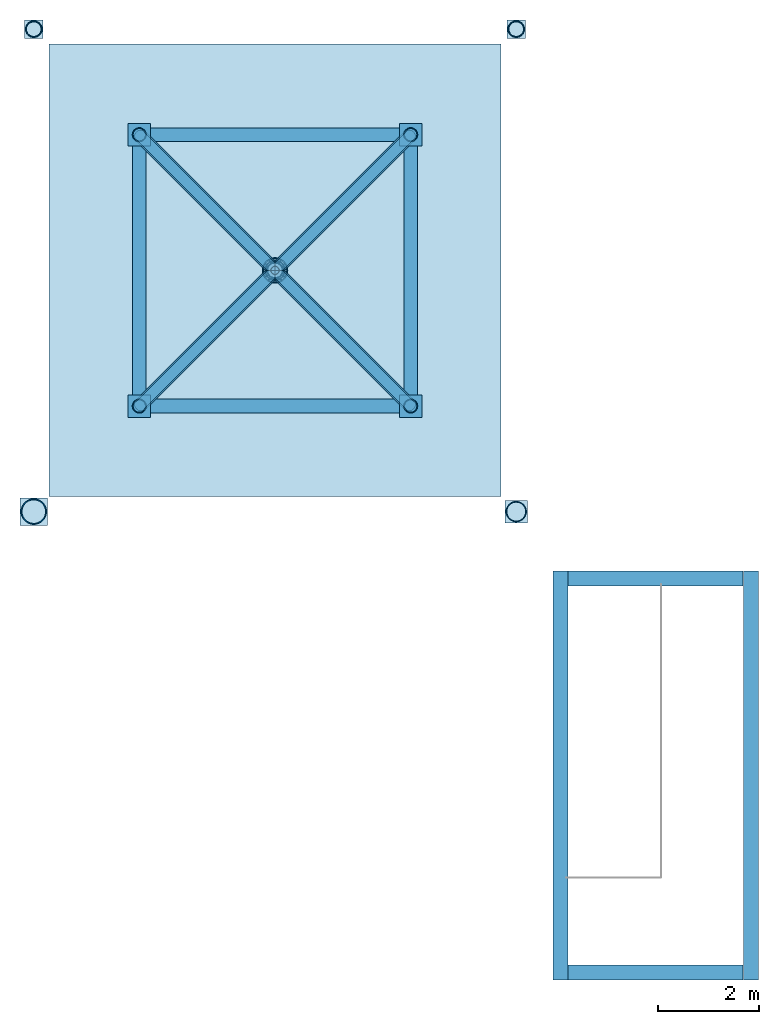
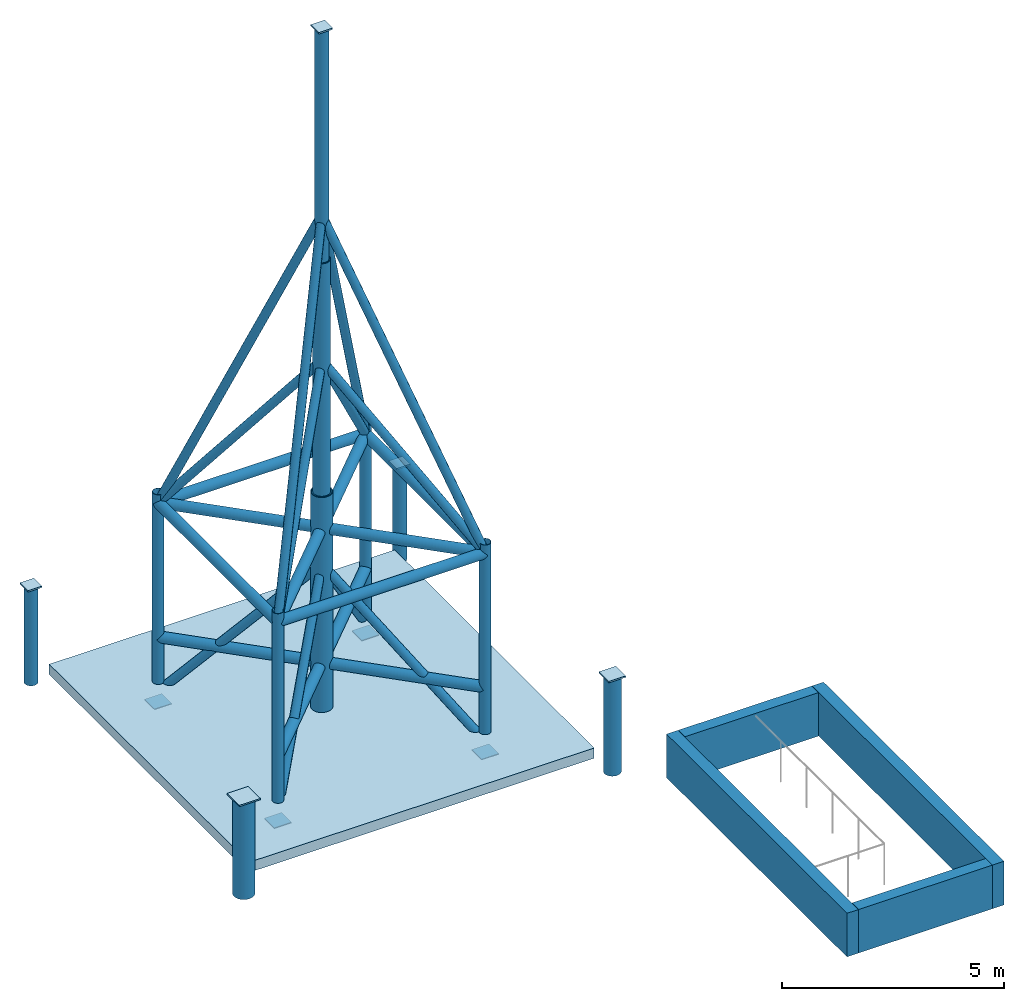
# One storey, part 1 of 2: 31 members, 5 plates, 4 columns, 4 discrete accessories, 4 walls, 1 roof.
"""IFC4 building model written with IfcOpenShell, lengths in metres."""

from ifc_helpers import new_model, si_unit, direction, frame, frame_2d, origin, origin_2d, place, context, subcontext, project, spatial, polyline, rectangle, hollow_circle, outline, extrude, material, layer, layer_set, material_profile, profile_set, type_object, element, save


model = new_model("IFC4")

# Units and contexts
model_context = context("Model", 3, precision=1e-05, world=origin(), true_north=direction((0.0, 1.0)))
body_context = subcontext(model_context, "Body", "Model", "MODEL_VIEW")
ifc_project = project(units=[si_unit("LENGTHUNIT", "METRE"), si_unit("AREAUNIT", "SQUARE_METRE"), si_unit("VOLUMEUNIT", "CUBIC_METRE"), si_unit("PLANEANGLEUNIT", "RADIAN"), si_unit("MASSUNIT", "GRAM", prefix="KILO")], contexts=[model_context])

# Site, building, storey
site_placement = place(None, origin())
site = spatial("IfcSite", under=ifc_project, at=site_placement, CompositionType="ELEMENT")
building_placement = place(site_placement, origin())
building = spatial("IfcBuilding", under=site, at=building_placement, Name="Norrvale University Quadrangle", CompositionType="ELEMENT")
storey_placement = place(building_placement, frame((0.0, 0.0, 326.0)))
storey = spatial("IfcBuildingStorey", under=building, at=storey_placement, Name="ROOF", CompositionType="ELEMENT", Elevation=326.0)

# Columns
ifc_material_1 = material(Name="Steel 350W", Category="steel")
ifc_material_profile_1 = material_profile(ifc_material_1, hollow_circle(Radius=0.162109375, WallThickness=0.012939453125, at=origin_2d()), Name="Steel 350W")
ifc_profile_set_1 = profile_set([ifc_material_profile_1], Name="Steel 350W")
column_type_1 = type_object("IfcColumnType", Name="Column Spire CHS324", PredefinedType="USERDEFINED", material=ifc_profile_set_1)
for number, where, z_axis, x_axis, name in (
    (1, (28.800048828125, 28.800048828125, -0.280029296875), (0.0, 0.0, 1.0), (1.0, 0.0, 0.0), "Crown Plinth Spire Corner Finial 3"),
    (2, (19.199951171875, 28.800048828125, -0.280029296875), (0.0, 0.0, 1.0), (1.0, 0.0, 0.0), "Crown Plinth Spire Corner Finial 4"),
):
    element("IfcColumn", number, at=place(storey_placement, frame(where, z_axis=z_axis, x_axis=x_axis)), inside=storey, type_object=column_type_1, Name=name, ObjectType="SPIRE", PredefinedType="USERDEFINED", context=body_context, shape_type="SweptSolid", body=[
        extrude(hollow_circle(Radius=0.162109375, WallThickness=0.012939453125, at=origin_2d()), origin(), (0.0, 0.0, 1.0), 2.64013671875),
    ])
ifc_material_profile_2 = material_profile(ifc_material_1, hollow_circle(Radius=0.202880859375, WallThickness=0.01611328125, at=origin_2d()), Name="Steel 350W")
ifc_profile_set_2 = profile_set([ifc_material_profile_2], Name="Steel 350W")
column_type_2 = type_object("IfcColumnType", Name="Column Spire CHS406", PredefinedType="USERDEFINED", material=ifc_profile_set_2)
column_1_placement = place(storey_placement, frame((28.800048828125, 19.199951171875, -0.280029296875), z_axis=(0.0, 0.0, 1.0), x_axis=(1.0, 0.0, 0.0)))
element("IfcColumn", 3, at=column_1_placement, inside=storey, type_object=column_type_2, Name="Crown Plinth Spire Corner Finial 2", ObjectType="SPIRE", PredefinedType="USERDEFINED", context=body_context, shape_type="SweptSolid", body=[
    extrude(hollow_circle(Radius=0.202880859375, WallThickness=0.01611328125, at=origin_2d()), origin(), (0.0, 0.0, 1.0), 2.64013671875),
])
ifc_material_profile_3 = material_profile(ifc_material_1, hollow_circle(Radius=0.25390625, WallThickness=0.02001953125, at=origin_2d()), Name="Steel 350W")
ifc_profile_set_3 = profile_set([ifc_material_profile_3], Name="Steel 350W")
column_type_3 = type_object("IfcColumnType", Name="Column Spire CHS508", PredefinedType="USERDEFINED", material=ifc_profile_set_3)
column_2_placement = place(storey_placement, frame((19.199951171875, 19.199951171875, -0.280029296875), z_axis=(0.0, 0.0, 1.0), x_axis=(1.0, 0.0, 0.0)))
element("IfcColumn", 4, at=column_2_placement, inside=storey, type_object=column_type_3, Name="Crown Plinth Spire Corner Finial 1", ObjectType="SPIRE", PredefinedType="USERDEFINED", context=body_context, shape_type="SweptSolid", body=[
    extrude(hollow_circle(Radius=0.25390625, WallThickness=0.02001953125, at=origin_2d()), origin(), (0.0, 0.0, 1.0), 2.64013671875),
])

# Members
ifc_material_profile_4 = material_profile(ifc_material_1, hollow_circle(Radius=0.109619140625, WallThickness=0.010009765625, at=origin_2d()), Name="Steel 350W")
ifc_profile_set_4 = profile_set([ifc_material_profile_4], Name="Steel 350W")
member_type_1 = type_object("IfcMemberType", Name="Member Spire Brace CHS219", PredefinedType="USERDEFINED", material=ifc_profile_set_4)
member_1_placement = place(storey_placement, frame((21.300048828125, 21.300048828125, 0.0), z_axis=(0.475663098311, 0.475663098311, 0.739925154195), x_axis=(-0.707106781187, 0.707106781187, 0.0)))
element("IfcMember", 5, at=member_1_placement, inside=storey, type_object=member_type_1, Name="Spire Base Raking Brace 1", ObjectType="SPIRE", PredefinedType="USERDEFINED", context=body_context, shape_type="SweptSolid", body=[
    extrude(hollow_circle(Radius=0.109619140625, WallThickness=0.010009765625, at=origin_2d()), origin(), (0.0, 0.0, 1.0), 5.67626953125),
])
member_2_placement = place(storey_placement, frame((21.300048828125, 21.300048828125, 5.199951171875), z_axis=(0.451623343107, 0.451623343107, 0.769462612426), x_axis=(-0.707106781187, 0.707106781187, 0.0)))
element("IfcMember", 6, at=member_2_placement, inside=storey, type_object=member_type_1, Name="Spire Mid Taper Stay 1", ObjectType="SPIRE", PredefinedType="USERDEFINED", context=body_context, shape_type="SweptSolid", body=[
    extrude(hollow_circle(Radius=0.109619140625, WallThickness=0.010009765625, at=origin_2d()), origin(), (0.0, 0.0, 1.0), 5.978271484375),
])
member_3_placement = place(storey_placement, frame((21.300048828125, 21.300048828125, 5.199951171875), z_axis=(0.28693486712, 0.28693486712, 0.913967594645), x_axis=(-0.707106781187, 0.707106781187, 0.0)))
element("IfcMember", 7, at=member_3_placement, inside=storey, type_object=member_type_1, Name="Spire Upper Taper Stay 1", ObjectType="SPIRE", PredefinedType="USERDEFINED", context=body_context, shape_type="SweptSolid", body=[
    extrude(hollow_circle(Radius=0.109619140625, WallThickness=0.010009765625, at=origin_2d()), origin(), (0.0, 0.0, 1.0), 9.40966796875),
])
member_4_placement = place(storey_placement, frame((26.699951171875, 21.300048828125, 0.0), z_axis=(-0.475663098311, 0.475663098311, 0.739925154195), x_axis=(-0.707106781187, -0.707106781187, 0.0)))
element("IfcMember", 8, at=member_4_placement, inside=storey, type_object=member_type_1, Name="Spire Base Raking Brace 2", ObjectType="SPIRE", PredefinedType="USERDEFINED", context=body_context, shape_type="SweptSolid", body=[
    extrude(hollow_circle(Radius=0.109619140625, WallThickness=0.010009765625, at=origin_2d()), origin(), (0.0, 0.0, 1.0), 5.67626953125),
])
member_5_placement = place(storey_placement, frame((26.699951171875, 21.300048828125, 5.199951171875), z_axis=(-0.451623343107, 0.451623343107, 0.769462612426), x_axis=(-0.707106781187, -0.707106781187, 0.0)))
element("IfcMember", 9, at=member_5_placement, inside=storey, type_object=member_type_1, Name="Spire Mid Taper Stay 2", ObjectType="SPIRE", PredefinedType="USERDEFINED", context=body_context, shape_type="SweptSolid", body=[
    extrude(hollow_circle(Radius=0.109619140625, WallThickness=0.010009765625, at=origin_2d()), origin(), (0.0, 0.0, 1.0), 5.978271484375),
])
member_6_placement = place(storey_placement, frame((26.699951171875, 21.300048828125, 5.199951171875), z_axis=(-0.28693486712, 0.28693486712, 0.913967594645), x_axis=(-0.707106781187, -0.707106781187, 0.0)))
element("IfcMember", 10, at=member_6_placement, inside=storey, type_object=member_type_1, Name="Spire Upper Taper Stay 2", ObjectType="SPIRE", PredefinedType="USERDEFINED", context=body_context, shape_type="SweptSolid", body=[
    extrude(hollow_circle(Radius=0.109619140625, WallThickness=0.010009765625, at=origin_2d()), origin(), (0.0, 0.0, 1.0), 9.40966796875),
])
member_7_placement = place(storey_placement, frame((26.699951171875, 26.699951171875, 0.0), z_axis=(-0.475663098311, -0.475663098311, 0.739925154195), x_axis=(0.707106781187, -0.707106781187, 0.0)))
element("IfcMember", 11, at=member_7_placement, inside=storey, type_object=member_type_1, Name="Spire Base Raking Brace 3", ObjectType="SPIRE", PredefinedType="USERDEFINED", context=body_context, shape_type="SweptSolid", body=[
    extrude(hollow_circle(Radius=0.109619140625, WallThickness=0.010009765625, at=origin_2d()), origin(), (0.0, 0.0, 1.0), 5.67626953125),
])
member_8_placement = place(storey_placement, frame((26.699951171875, 26.699951171875, 5.199951171875), z_axis=(-0.451623343107, -0.451623343107, 0.769462612426), x_axis=(0.707106781187, -0.707106781187, 0.0)))
element("IfcMember", 12, at=member_8_placement, inside=storey, type_object=member_type_1, Name="Spire Mid Taper Stay 3", ObjectType="SPIRE", PredefinedType="USERDEFINED", context=body_context, shape_type="SweptSolid", body=[
    extrude(hollow_circle(Radius=0.109619140625, WallThickness=0.010009765625, at=origin_2d()), origin(), (0.0, 0.0, 1.0), 5.978271484375),
])
member_9_placement = place(storey_placement, frame((26.699951171875, 26.699951171875, 5.199951171875), z_axis=(-0.28693486712, -0.28693486712, 0.913967594645), x_axis=(0.707106781187, -0.707106781187, 0.0)))
element("IfcMember", 13, at=member_9_placement, inside=storey, type_object=member_type_1, Name="Spire Upper Taper Stay 3", ObjectType="SPIRE", PredefinedType="USERDEFINED", context=body_context, shape_type="SweptSolid", body=[
    extrude(hollow_circle(Radius=0.109619140625, WallThickness=0.010009765625, at=origin_2d()), origin(), (0.0, 0.0, 1.0), 9.40966796875),
])
member_10_placement = place(storey_placement, frame((21.300048828125, 26.699951171875, 0.0), z_axis=(0.475663098311, -0.475663098311, 0.739925154195), x_axis=(0.707106781187, 0.707106781187, 0.0)))
element("IfcMember", 14, at=member_10_placement, inside=storey, type_object=member_type_1, Name="Spire Base Raking Brace 4", ObjectType="SPIRE", PredefinedType="USERDEFINED", context=body_context, shape_type="SweptSolid", body=[
    extrude(hollow_circle(Radius=0.109619140625, WallThickness=0.010009765625, at=origin_2d()), origin(), (0.0, 0.0, 1.0), 5.67626953125),
])
member_11_placement = place(storey_placement, frame((21.300048828125, 26.699951171875, 5.199951171875), z_axis=(0.451623343107, -0.451623343107, 0.769462612426), x_axis=(0.707106781187, 0.707106781187, 0.0)))
element("IfcMember", 15, at=member_11_placement, inside=storey, type_object=member_type_1, Name="Spire Mid Taper Stay 4", ObjectType="SPIRE", PredefinedType="USERDEFINED", context=body_context, shape_type="SweptSolid", body=[
    extrude(hollow_circle(Radius=0.109619140625, WallThickness=0.010009765625, at=origin_2d()), origin(), (0.0, 0.0, 1.0), 5.978271484375),
])
member_12_placement = place(storey_placement, frame((21.300048828125, 26.699951171875, 5.199951171875), z_axis=(0.28693486712, -0.28693486712, 0.913967594645), x_axis=(0.707106781187, 0.707106781187, 0.0)))
element("IfcMember", 16, at=member_12_placement, inside=storey, type_object=member_type_1, Name="Spire Upper Taper Stay 4", ObjectType="SPIRE", PredefinedType="USERDEFINED", context=body_context, shape_type="SweptSolid", body=[
    extrude(hollow_circle(Radius=0.109619140625, WallThickness=0.010009765625, at=origin_2d()), origin(), (0.0, 0.0, 1.0), 9.40966796875),
])
ifc_material_profile_5 = material_profile(ifc_material_1, hollow_circle(Radius=0.202880859375, WallThickness=0.01611328125, at=origin_2d()), Name="Steel 350W")
ifc_profile_set_5 = profile_set([ifc_material_profile_5], Name="Steel 350W")
member_type_2 = type_object("IfcMemberType", Name="Member Spire Mast CHS406", PredefinedType="USERDEFINED", material=ifc_profile_set_5)
member_13_placement = place(storey_placement, frame((24.0, 24.0, 6.199951171875), z_axis=(0.0, 0.0, 1.0), x_axis=(1.0, 0.0, 0.0)))
element("IfcMember", 17, at=member_13_placement, inside=storey, type_object=member_type_2, Name="Crown Needle Spire Mid Mast SPIRE-02", ObjectType="SPIRE", PredefinedType="USERDEFINED", context=body_context, shape_type="SweptSolid", body=[
    extrude(hollow_circle(Radius=0.202880859375, WallThickness=0.01611328125, at=origin_2d()), origin(), (0.0, 0.0, 1.0), 6.400146484375),
])
ifc_material_profile_6 = material_profile(ifc_material_1, hollow_circle(Radius=0.25390625, WallThickness=0.02001953125, at=origin_2d()), Name="Steel 350W")
ifc_profile_set_6 = profile_set([ifc_material_profile_6], Name="Steel 350W")
member_type_3 = type_object("IfcMemberType", Name="Member Spire Mast CHS508", PredefinedType="USERDEFINED", material=ifc_profile_set_6)
member_14_placement = place(storey_placement, frame((24.0, 24.0, -0.280029296875), z_axis=(0.0, 0.0, 1.0), x_axis=(1.0, 0.0, 0.0)))
element("IfcMember", 18, at=member_14_placement, inside=storey, type_object=member_type_3, Name="Crown Needle Spire Lower Mast SPIRE-01", ObjectType="SPIRE", PredefinedType="USERDEFINED", context=body_context, shape_type="SweptSolid", body=[
    extrude(hollow_circle(Radius=0.25390625, WallThickness=0.02001953125, at=origin_2d()), origin(), (0.0, 0.0, 1.0), 6.47998046875),
])
ifc_material_profile_7 = material_profile(ifc_material_1, hollow_circle(Radius=0.136474609375, WallThickness=0.010009765625, at=origin_2d()), Name="Steel 350W")
ifc_profile_set_7 = profile_set([ifc_material_profile_7], Name="Steel 350W")
member_type_4 = type_object("IfcMemberType", Name="Member Spire Strut CHS273", PredefinedType="USERDEFINED", material=ifc_profile_set_7)
member_15_placement = place(storey_placement, frame((21.300048828125, 21.300048828125, -0.280029296875), z_axis=(0.0, 0.0, 1.0), x_axis=(1.0, 0.0, 0.0)))
element("IfcMember", 19, at=member_15_placement, inside=storey, type_object=member_type_4, Name="Spire Base Pylon Leg 1", ObjectType="SPIRE", PredefinedType="USERDEFINED", context=body_context, shape_type="SweptSolid", body=[
    extrude(hollow_circle(Radius=0.136474609375, WallThickness=0.010009765625, at=origin_2d()), origin(), (0.0, 0.0, 1.0), 5.780029296875),
])
member_16_placement = place(storey_placement, frame((21.300048828125, 21.300048828125, 5.199951171875), z_axis=(1.0, 0.0, 0.0), x_axis=(0.0, 1.0, 0.0)))
element("IfcMember", 20, at=member_16_placement, inside=storey, type_object=member_type_4, Name="Spire Pylon Ring Strut 1", ObjectType="SPIRE", PredefinedType="USERDEFINED", context=body_context, shape_type="SweptSolid", body=[
    extrude(hollow_circle(Radius=0.136474609375, WallThickness=0.010009765625, at=origin_2d()), origin(), (0.0, 0.0, 1.0), 5.39990234375),
])
for number, where, z_axis, x_axis, name in (
    (21, (21.300048828125, 21.300048828125, 1.5), (0.707106781187, 0.707106781187, 0.0), (-0.707106781187, 0.707106781187, 0.0), "Spire Lower Collar Strut 1"),
    (22, (21.300048828125, 21.300048828125, 5.199951171875), (0.707106781187, 0.707106781187, 0.0), (-0.707106781187, 0.707106781187, 0.0), "Spire Upper Collar Strut 1"),
):
    element("IfcMember", number, at=place(storey_placement, frame(where, z_axis=z_axis, x_axis=x_axis)), inside=storey, type_object=member_type_4, Name=name, ObjectType="SPIRE", PredefinedType="USERDEFINED", context=body_context, shape_type="SweptSolid", body=[
        extrude(hollow_circle(Radius=0.136474609375, WallThickness=0.010009765625, at=origin_2d()), origin(), (0.0, 0.0, 1.0), 3.818359375),
    ])
member_17_placement = place(storey_placement, frame((26.699951171875, 21.300048828125, -0.280029296875), z_axis=(0.0, 0.0, 1.0), x_axis=(1.0, 0.0, 0.0)))
element("IfcMember", 23, at=member_17_placement, inside=storey, type_object=member_type_4, Name="Spire Base Pylon Leg 2", ObjectType="SPIRE", PredefinedType="USERDEFINED", context=body_context, shape_type="SweptSolid", body=[
    extrude(hollow_circle(Radius=0.136474609375, WallThickness=0.010009765625, at=origin_2d()), origin(), (0.0, 0.0, 1.0), 5.780029296875),
])
member_18_placement = place(storey_placement, frame((26.699951171875, 21.300048828125, 5.199951171875), z_axis=(0.0, 1.0, 0.0), x_axis=(-1.0, 0.0, 0.0)))
element("IfcMember", 24, at=member_18_placement, inside=storey, type_object=member_type_4, Name="Spire Pylon Ring Strut 2", ObjectType="SPIRE", PredefinedType="USERDEFINED", context=body_context, shape_type="SweptSolid", body=[
    extrude(hollow_circle(Radius=0.136474609375, WallThickness=0.010009765625, at=origin_2d()), origin(), (0.0, 0.0, 1.0), 5.39990234375),
])
for number, where, z_axis, x_axis, name in (
    (25, (26.699951171875, 21.300048828125, 1.5), (-0.707106781187, 0.707106781187, 0.0), (-0.707106781187, -0.707106781187, 0.0), "Spire Lower Collar Strut 2"),
    (26, (26.699951171875, 21.300048828125, 5.199951171875), (-0.707106781187, 0.707106781187, 0.0), (-0.707106781187, -0.707106781187, 0.0), "Spire Upper Collar Strut 2"),
):
    element("IfcMember", number, at=place(storey_placement, frame(where, z_axis=z_axis, x_axis=x_axis)), inside=storey, type_object=member_type_4, Name=name, ObjectType="SPIRE", PredefinedType="USERDEFINED", context=body_context, shape_type="SweptSolid", body=[
        extrude(hollow_circle(Radius=0.136474609375, WallThickness=0.010009765625, at=origin_2d()), origin(), (0.0, 0.0, 1.0), 3.818359375),
    ])
member_19_placement = place(storey_placement, frame((26.699951171875, 26.699951171875, -0.280029296875), z_axis=(0.0, 0.0, 1.0), x_axis=(1.0, 0.0, 0.0)))
element("IfcMember", 27, at=member_19_placement, inside=storey, type_object=member_type_4, Name="Spire Base Pylon Leg 3", ObjectType="SPIRE", PredefinedType="USERDEFINED", context=body_context, shape_type="SweptSolid", body=[
    extrude(hollow_circle(Radius=0.136474609375, WallThickness=0.010009765625, at=origin_2d()), origin(), (0.0, 0.0, 1.0), 5.780029296875),
])
member_20_placement = place(storey_placement, frame((26.699951171875, 26.699951171875, 5.199951171875), z_axis=(-1.0, 0.0, 0.0), x_axis=(0.0, -1.0, 0.0)))
element("IfcMember", 28, at=member_20_placement, inside=storey, type_object=member_type_4, Name="Spire Pylon Ring Strut 3", ObjectType="SPIRE", PredefinedType="USERDEFINED", context=body_context, shape_type="SweptSolid", body=[
    extrude(hollow_circle(Radius=0.136474609375, WallThickness=0.010009765625, at=origin_2d()), origin(), (0.0, 0.0, 1.0), 5.39990234375),
])
for number, where, z_axis, x_axis, name in (
    (29, (26.699951171875, 26.699951171875, 1.5), (-0.707106781187, -0.707106781187, 0.0), (0.707106781187, -0.707106781187, 0.0), "Spire Lower Collar Strut 3"),
    (30, (26.699951171875, 26.699951171875, 5.199951171875), (-0.707106781187, -0.707106781187, 0.0), (0.707106781187, -0.707106781187, 0.0), "Spire Upper Collar Strut 3"),
):
    element("IfcMember", number, at=place(storey_placement, frame(where, z_axis=z_axis, x_axis=x_axis)), inside=storey, type_object=member_type_4, Name=name, ObjectType="SPIRE", PredefinedType="USERDEFINED", context=body_context, shape_type="SweptSolid", body=[
        extrude(hollow_circle(Radius=0.136474609375, WallThickness=0.010009765625, at=origin_2d()), origin(), (0.0, 0.0, 1.0), 3.818359375),
    ])
member_21_placement = place(storey_placement, frame((21.300048828125, 26.699951171875, -0.280029296875), z_axis=(0.0, 0.0, 1.0), x_axis=(1.0, 0.0, 0.0)))
element("IfcMember", 31, at=member_21_placement, inside=storey, type_object=member_type_4, Name="Spire Base Pylon Leg 4", ObjectType="SPIRE", PredefinedType="USERDEFINED", context=body_context, shape_type="SweptSolid", body=[
    extrude(hollow_circle(Radius=0.136474609375, WallThickness=0.010009765625, at=origin_2d()), origin(), (0.0, 0.0, 1.0), 5.780029296875),
])
member_22_placement = place(storey_placement, frame((21.300048828125, 26.699951171875, 5.199951171875), z_axis=(0.0, -1.0, 0.0), x_axis=(1.0, 0.0, 0.0)))
element("IfcMember", 32, at=member_22_placement, inside=storey, type_object=member_type_4, Name="Spire Pylon Ring Strut 4", ObjectType="SPIRE", PredefinedType="USERDEFINED", context=body_context, shape_type="SweptSolid", body=[
    extrude(hollow_circle(Radius=0.136474609375, WallThickness=0.010009765625, at=origin_2d()), origin(), (0.0, 0.0, 1.0), 5.39990234375),
])
for number, where, z_axis, x_axis, name in (
    (33, (21.300048828125, 26.699951171875, 1.5), (0.707106781187, -0.707106781187, 0.0), (0.707106781187, 0.707106781187, 0.0), "Spire Lower Collar Strut 4"),
    (34, (21.300048828125, 26.699951171875, 5.199951171875), (0.707106781187, -0.707106781187, 0.0), (0.707106781187, 0.707106781187, 0.0), "Spire Upper Collar Strut 4"),
):
    element("IfcMember", number, at=place(storey_placement, frame(where, z_axis=z_axis, x_axis=x_axis)), inside=storey, type_object=member_type_4, Name=name, ObjectType="SPIRE", PredefinedType="USERDEFINED", context=body_context, shape_type="SweptSolid", body=[
        extrude(hollow_circle(Radius=0.136474609375, WallThickness=0.010009765625, at=origin_2d()), origin(), (0.0, 0.0, 1.0), 3.818359375),
    ])
ifc_material_profile_8 = material_profile(ifc_material_1, hollow_circle(Radius=0.162109375, WallThickness=0.012939453125, at=origin_2d()), Name="Steel 350W")
ifc_profile_set_8 = profile_set([ifc_material_profile_8], Name="Steel 350W")
member_type_5 = type_object("IfcMemberType", Name="Member Spire Tip CHS324", PredefinedType="USERDEFINED", material=ifc_profile_set_8)
member_23_placement = place(storey_placement, frame((24.0, 24.0, 12.60009765625), z_axis=(0.0, 0.0, 1.0), x_axis=(1.0, 0.0, 0.0)))
element("IfcMember", 35, at=member_23_placement, inside=storey, type_object=member_type_5, Name="Crown Needle Spire Tip Mast SPIRE-03", ObjectType="SPIRE", PredefinedType="USERDEFINED", context=body_context, shape_type="SweptSolid", body=[
    extrude(hollow_circle(Radius=0.162109375, WallThickness=0.012939453125, at=origin_2d()), origin(), (0.0, 0.0, 1.0), 6.35986328125),
])

# Plates
ifc_layer_1 = layer(ifc_material_1, 0.0400390625, Name="Steel 350W")
ifc_layer_set_1 = layer_set([ifc_layer_1], Name="Steel 350W")
plate_type = type_object("IfcPlateType", Name="Plate Base Plate 40", PredefinedType="USERDEFINED", material=ifc_layer_set_1)
plate_1_placement = place(storey_placement, frame((19.199951171875, 19.199951171875, 2.35986328125), z_axis=(0.0, 0.0, 1.0), x_axis=(1.0, 0.0, 0.0)))
element("IfcPlate", 36, at=plate_1_placement, inside=storey, type_object=plate_type, Name="Spire Corner Finial Cap Plate 1", ObjectType="BASE_PLATE", PredefinedType="USERDEFINED", context=body_context, shape_type="SweptSolid", body=[
    extrude(rectangle(XDim=0.548095703125, YDim=0.548095703125, at=origin_2d()), origin(), (0.0, 0.0, 1.0), 0.0400390625),
])
plate_2_placement = place(storey_placement, frame((28.800048828125, 19.199951171875, 2.35986328125), z_axis=(0.0, 0.0, 1.0), x_axis=(1.0, 0.0, 0.0)))
element("IfcPlate", 37, at=plate_2_placement, inside=storey, type_object=plate_type, Name="Spire Corner Finial Cap Plate 2", ObjectType="BASE_PLATE", PredefinedType="USERDEFINED", context=body_context, shape_type="SweptSolid", body=[
    extrude(rectangle(XDim=0.446044921875, YDim=0.446044921875, at=origin_2d()), origin(), (0.0, 0.0, 1.0), 0.0400390625),
])
for number, where, z_axis, x_axis, name in (
    (38, (28.800048828125, 28.800048828125, 2.35986328125), (0.0, 0.0, 1.0), (1.0, 0.0, 0.0), "Spire Corner Finial Cap Plate 3"),
    (39, (19.199951171875, 28.800048828125, 2.35986328125), (0.0, 0.0, 1.0), (1.0, 0.0, 0.0), "Spire Corner Finial Cap Plate 4"),
    (40, (24.0, 24.0, 18.9599609375), (0.0, 0.0, 1.0), (1.0, 0.0, 0.0), "Spire Tip Mast Cap Plate"),
):
    element("IfcPlate", number, at=place(storey_placement, frame(where, z_axis=z_axis, x_axis=x_axis)), inside=storey, type_object=plate_type, Name=name, ObjectType="BASE_PLATE", PredefinedType="USERDEFINED", context=body_context, shape_type="SweptSolid", body=[
        extrude(rectangle(XDim=0.364013671875, YDim=0.364013671875, at=origin_2d()), origin(), (0.0, 0.0, 1.0), 0.0400390625),
    ])

# Walls
ifc_material_2 = material(Name="Buff Norman Clay Brick Masonry", Category="masonry")
ifc_layer_2 = layer(ifc_material_2, 0.300048828125, Name="Buff Norman Clay Brick Masonry")
ifc_layer_set_2 = layer_set([ifc_layer_2], Name="Buff Norman Clay Brick Masonry")
wall_type = type_object("IfcWallType", Name="Wall Parapet 300", PredefinedType="PARAPET", material=ifc_layer_set_2)
for number, where, z_axis, x_axis, name in (
    (41, (29.679931640625, 9.8798828125, 0.0), (0.0, 0.0, 1.0), (0.0, 1.0, 0.0), "Crown Penthouse Top Parapet W"),
    (42, (33.469970703125, 9.8798828125, 0.0), (0.0, 0.0, 1.0), (0.0, 1.0, 0.0), "Crown Penthouse Top Parapet E"),
):
    element("IfcWall", number, at=place(storey_placement, frame(where, z_axis=z_axis, x_axis=x_axis)), inside=storey, type_object=wall_type, Name=name, PredefinedType="PARAPET", context=body_context, shape_type="SweptSolid", body=[
        extrude(rectangle(XDim=8.14013671875, YDim=0.300048828125, at=frame_2d((4.070068359375, 0.0))), origin(), (0.0, 0.0, 1.0), 1.199951171875),
    ])
for number, where, z_axis, x_axis, name in (
    (43, (29.8349609375, 10.030029296875, 0.0), (0.0, 0.0, 1.0), (1.0, 0.0, 0.0), "Crown Penthouse Top Parapet S"),
    (44, (29.8349609375, 17.8701171875, 0.0), (0.0, 0.0, 1.0), (1.0, 0.0, 0.0), "Crown Penthouse Top Parapet N"),
):
    element("IfcWall", number, at=place(storey_placement, frame(where, z_axis=z_axis, x_axis=x_axis)), inside=storey, type_object=wall_type, Name=name, PredefinedType="PARAPET", context=body_context, shape_type="SweptSolid", body=[
        extrude(rectangle(XDim=3.47998046875, YDim=0.300048828125, at=frame_2d((1.739990234375, 0.0))), origin(), (0.0, 0.0, 1.0), 1.199951171875),
    ])

# Roof
ifc_material_3 = material(Name="Concrete C50/60", Category="concrete")
ifc_layer_3 = layer(ifc_material_3, 0.300048828125, Name="Concrete C50/60")
ifc_layer_set_3 = layer_set([ifc_layer_3], Name="Concrete C50/60")
roof_type = type_object("IfcRoofType", Name="Roof Crown Cap 300", PredefinedType="FLAT_ROOF", material=ifc_layer_set_3)
roof_placement = place(storey_placement, origin())
element("IfcRoof", 45, at=roof_placement, inside=storey, type_object=roof_type, Name="Crown Spire Plinth Roof Cap", PredefinedType="FLAT_ROOF", context=body_context, shape_type="SweptSolid", body=[
    extrude(outline(polyline([(19.5, 19.5), (28.5, 19.5), (28.5, 28.5), (19.5, 28.5), (19.5, 19.5)])), origin(), (0.0, 0.0, 1.0), 0.280029296875),
])

# Discrete accessories
ifc_layer_4 = layer(ifc_material_1, 0.02490234375, Name="Steel 350W")
ifc_layer_set_4 = layer_set([ifc_layer_4], Name="Steel 350W")
discrete_accessory_type = type_object("IfcDiscreteAccessoryType", Name="Accessory Spire Leg Anchor Plate", PredefinedType="ANCHORPLATE", material=ifc_layer_set_4)
for number, where, z_axis, x_axis, name in (
    (46, (21.300048828125, 21.300048828125, -0.304931640625), (0.0, 0.0, 1.0), (1.0, 0.0, 0.0), "Spire Pylon Leg Anchorage Plate 1"),
    (47, (26.699951171875, 21.300048828125, -0.304931640625), (0.0, 0.0, 1.0), (1.0, 0.0, 0.0), "Spire Pylon Leg Anchorage Plate 2"),
    (48, (26.699951171875, 26.699951171875, -0.304931640625), (0.0, 0.0, 1.0), (1.0, 0.0, 0.0), "Spire Pylon Leg Anchorage Plate 3"),
    (49, (21.300048828125, 26.699951171875, -0.304931640625), (0.0, 0.0, 1.0), (1.0, 0.0, 0.0), "Spire Pylon Leg Anchorage Plate 4"),
):
    element("IfcDiscreteAccessory", number, at=place(storey_placement, frame(where, z_axis=z_axis, x_axis=x_axis)), inside=storey, type_object=discrete_accessory_type, Name=name, PredefinedType="ANCHORPLATE", context=body_context, shape_type="SweptSolid", body=[
        extrude(rectangle(XDim=0.449951171875, YDim=0.449951171875, at=origin_2d()), origin(), (0.0, 0.0, 1.0), 0.02490234375),
    ])

save(model, "model.ifc")
